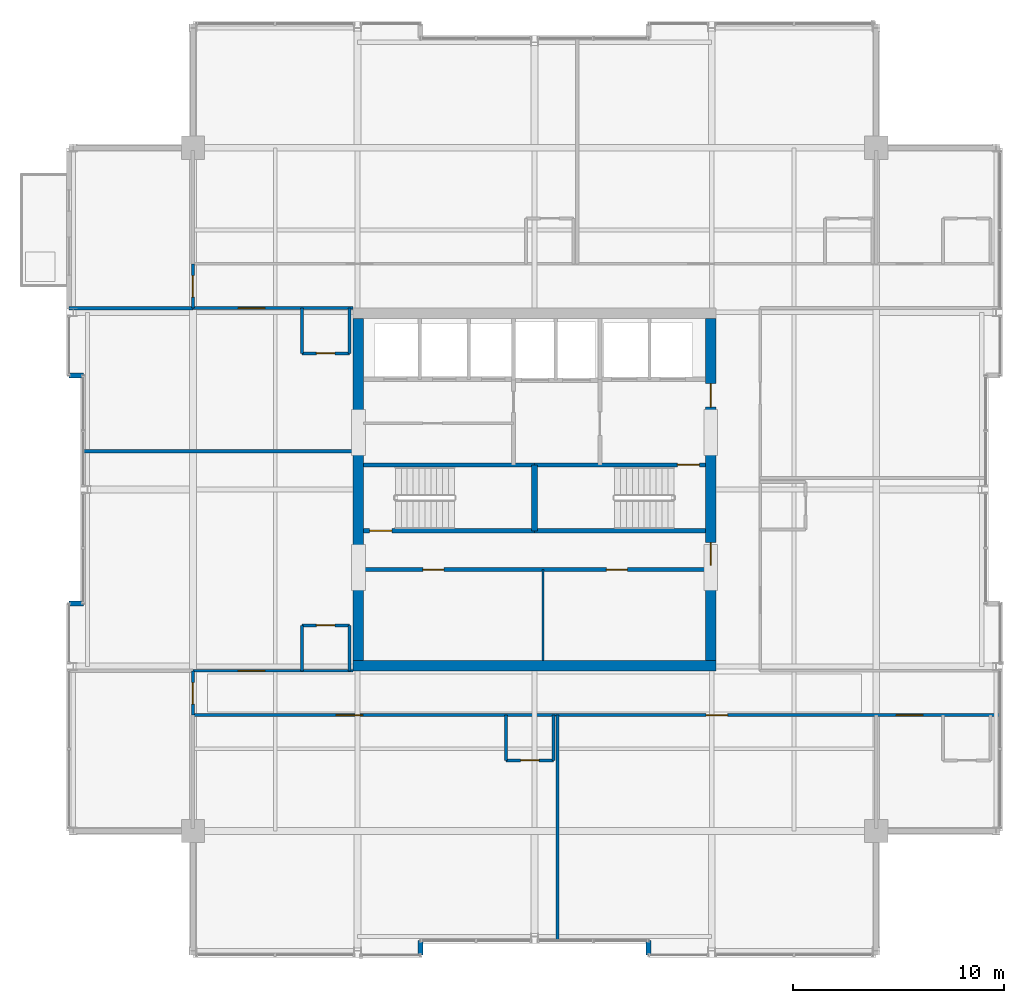
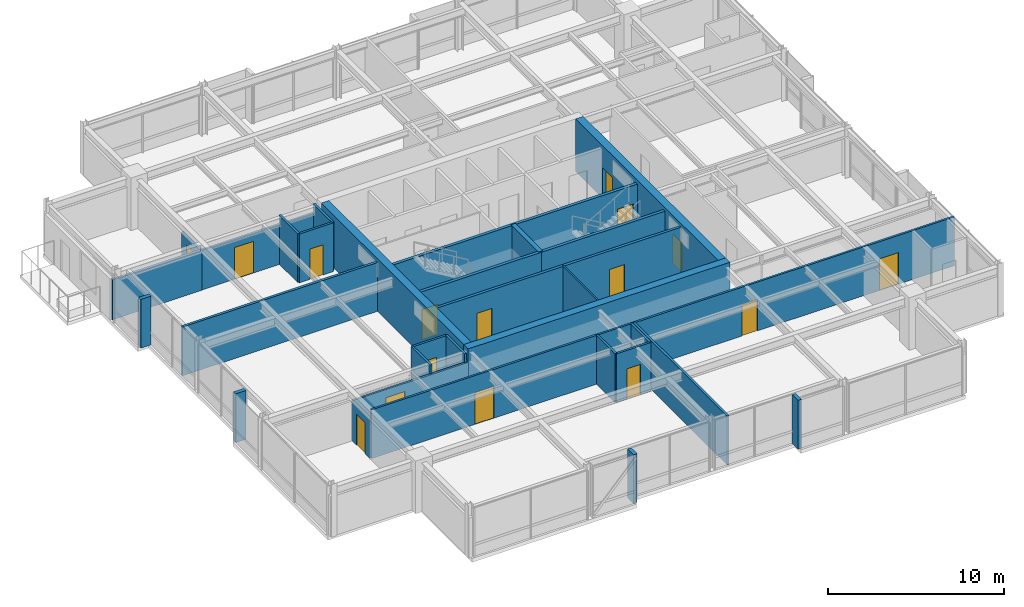
# One storey, part 28 of 33: 31 walls, 16 doors, 16 openings.
"""IFC4 building model written with IfcOpenShell, lengths in metres."""

from ifc_helpers import new_model, si_unit, direction, frame, frame_2d, origin, place, context, subcontext, project, spatial, rectangle, extrude, material, layer, layer_set, type_object, element, fill, save


model = new_model("IFC4")

# Units and contexts
model_context = context("Model", 3, precision=1e-05, world=origin(), true_north=direction((0.0, 1.0)))
body_context = subcontext(model_context, "Body", "Model", "MODEL_VIEW")
ifc_project = project(units=[si_unit("LENGTHUNIT", "METRE"), si_unit("AREAUNIT", "SQUARE_METRE"), si_unit("VOLUMEUNIT", "CUBIC_METRE"), si_unit("PLANEANGLEUNIT", "RADIAN"), si_unit("MASSUNIT", "GRAM", prefix="KILO")], contexts=[model_context])

# Site, building, storey
site_placement = place(None, origin())
site = spatial("IfcSite", under=ifc_project, at=site_placement, CompositionType="ELEMENT")
building_placement = place(site_placement, origin())
building = spatial("IfcBuilding", under=site, at=building_placement, Name="Drelvath Grand Hotel", CompositionType="ELEMENT")
storey_placement = place(building_placement, frame((0.0, 0.0, 283.25)))
storey = spatial("IfcBuildingStorey", under=building, at=storey_placement, Name="L74", CompositionType="ELEMENT", Elevation=283.25)

# Wall
ifc_material_1 = material(Name="Gypsum Partition Board")
ifc_layer_1 = layer(ifc_material_1, 0.10009765625)
ifc_layer_set_1 = layer_set([ifc_layer_1], Name="Gypsum Partition Board")
wall_type_1 = type_object("IfcWallType", Name="Core Closet Partition 100", PredefinedType="PARTITIONING", material=ifc_layer_set_1)
wall_1_placement = place(storey_placement, frame((0.39990234375, 18.89990234375, 0.0), z_axis=(0.0, 0.0, 1.0), x_axis=(0.0, 1.0, 0.0)))
element("IfcWall", 1, at=wall_1_placement, inside=storey, type_object=wall_type_1, Name="L74 Upper Core Split 0", PredefinedType="PARTITIONING", context=body_context, shape_type="SweptSolid", body=[
    extrude(rectangle(XDim=4.300048828125, YDim=0.10009765625, at=frame_2d((2.14990234375, 0.0))), origin(), (0.0, 0.0, 1.0), 3.389892578125),
])

# Wall, opening, door
ifc_material_2 = material(Name="Concrete C40/50", Category="concrete")
ifc_layer_2 = layer(ifc_material_2, 0.199951171875)
ifc_layer_set_2 = layer_set([ifc_layer_2], Name="Concrete C40/50")
wall_type_2 = type_object("IfcWallType", Name="Core Shaft Fire Wall 200", PredefinedType="SOLIDWALL", material=ifc_layer_set_2)
wall_2_placement = place(storey_placement, frame((-8.10009765625, 25.0400390625, 0.0), z_axis=(0.0, 0.0, 1.0), x_axis=(1.0, 0.0, 0.0)))
wall_2 = element("IfcWall", 2, at=wall_2_placement, inside=storey, type_object=wall_type_2, Name="L74 Stair ST-1 South Wall", PredefinedType="SOLIDWALL", context=body_context, shape_type="SweptSolid", body=[
    extrude(rectangle(XDim=8.10009765625, YDim=0.199951171875, at=frame_2d((4.050048828125, 0.0))), origin(), (0.0, 0.0, 1.0), 3.389892578125),
])
opening_1_placement = place(wall_2_placement, frame((0.280029296875, 0.0, 0.0)))
opening_1 = element("IfcOpeningElement", 3, at=opening_1_placement, cuts=wall_2, Name="Opening D-T5G2-001", PredefinedType="OPENING", context=body_context, shape_type="SweptSolid", body=[
    extrude(rectangle(XDim=1.050048828125, YDim=2.10009765625, at=frame_2d((0.52490234375, 1.050048828125))), frame((0.0, 0.10986328125, 0.0), z_axis=(0.0, -1.0, 0.0), x_axis=(1.0, 0.0, 0.0)), (0.0, 0.0, 1.0), 0.219970703125),
])
ifc_material_3 = material(Name="Painted Steel S275", Category="steel")
door_type_1 = type_object("IfcDoorType", Name="Tower Stairwell Fire Door 1050x2100", OperationType="NOTDEFINED", PredefinedType="DOOR", material=ifc_material_3)
door_1_placement = place(opening_1_placement, origin())
door_1 = element("IfcDoor", 4, at=door_1_placement, inside=storey, type_object=door_type_1, Name="L74 Exit Stair ST-1 Door", OperationType="SINGLE_SWING_LEFT", OverallHeight=2.10009765625, OverallWidth=1.050048828125, PredefinedType="DOOR", context=body_context, shape_type="SweptSolid", body=[
    extrude(rectangle(XDim=1.050048828125, YDim=2.10009765625, at=frame_2d((0.52490234375, 1.050048828125))), frame((0.0, 0.02490234375, 0.0), z_axis=(0.0, -1.0, 0.0), x_axis=(1.0, 0.0, 0.0)), (0.0, 0.0, 1.0), 0.050048828125),
])
fill(opening_1, door_1)

# Walls
for number, where, z_axis, x_axis, name in (
    (5, (-8.10009765625, 28.159912109375, 0.0), (0.0, 0.0, 1.0), (1.0, 0.0, 0.0), "L74 Stair ST-1 North Wall"),
    (6, (0.0, 25.0400390625, 0.0), (0.0, 0.0, 1.0), (1.0, 0.0, 0.0), "L74 Stair ST-2 South Wall"),
):
    element("IfcWall", number, at=place(storey_placement, frame(where, z_axis=z_axis, x_axis=x_axis)), inside=storey, type_object=wall_type_2, Name=name, PredefinedType="SOLIDWALL", context=body_context, shape_type="SweptSolid", body=[
        extrude(rectangle(XDim=8.10009765625, YDim=0.199951171875, at=frame_2d((4.050048828125, 0.0))), origin(), (0.0, 0.0, 1.0), 3.389892578125),
    ])

# Wall, opening, door
wall_3_placement = place(storey_placement, frame((8.10009765625, 28.159912109375, 0.0), z_axis=(0.0, 0.0, 1.0), x_axis=(-1.0, 0.0, 0.0)))
wall_3 = element("IfcWall", 7, at=wall_3_placement, inside=storey, type_object=wall_type_2, Name="L74 Stair ST-2 North Wall", PredefinedType="SOLIDWALL", context=body_context, shape_type="SweptSolid", body=[
    extrude(rectangle(XDim=8.10009765625, YDim=0.199951171875, at=frame_2d((4.050048828125, 0.0))), origin(), (0.0, 0.0, 1.0), 3.389892578125),
])
opening_2_placement = place(wall_3_placement, frame((0.280029296875, 0.0, 0.0)))
opening_2 = element("IfcOpeningElement", 8, at=opening_2_placement, cuts=wall_3, Name="Opening D-T5G2-002", PredefinedType="OPENING", context=body_context, shape_type="SweptSolid", body=[
    extrude(rectangle(XDim=1.050048828125, YDim=2.10009765625, at=frame_2d((0.52490234375, 1.050048828125))), frame((0.0, 0.10986328125, 0.0), z_axis=(0.0, -1.0, 0.0), x_axis=(1.0, 0.0, 0.0)), (0.0, 0.0, 1.0), 0.219970703125),
])
door_2_placement = place(opening_2_placement, origin())
door_2 = element("IfcDoor", 9, at=door_2_placement, inside=storey, type_object=door_type_1, Name="L74 Exit Stair ST-2 Door", OperationType="SINGLE_SWING_LEFT", OverallHeight=2.10009765625, OverallWidth=1.050048828125, PredefinedType="DOOR", context=body_context, shape_type="SweptSolid", body=[
    extrude(rectangle(XDim=1.050048828125, YDim=2.10009765625, at=frame_2d((0.52490234375, 1.050048828125))), frame((0.0, 0.02490234375, 0.0), z_axis=(0.0, -1.0, 0.0), x_axis=(1.0, 0.0, 0.0)), (0.0, 0.0, 1.0), 0.050048828125),
])
fill(opening_2, door_2)

# Wall
ifc_layer_3 = layer(ifc_material_2, 0.300048828125)
ifc_layer_set_3 = layer_set([ifc_layer_3], Name="Concrete C40/50")
wall_type_3 = type_object("IfcWallType", Name="Core Shaft Fire Wall 300", PredefinedType="SOLIDWALL", material=ifc_layer_set_3)
wall_4_placement = place(storey_placement, frame((0.0, 25.0400390625, 0.0), z_axis=(0.0, 0.0, 1.0), x_axis=(0.0, 1.0, 0.0)))
element("IfcWall", 10, at=wall_4_placement, inside=storey, type_object=wall_type_3, Name="L74 Core Stair Divider Wall", PredefinedType="SOLIDWALL", context=body_context, shape_type="SweptSolid", body=[
    extrude(rectangle(XDim=3.119873046875, YDim=0.300048828125, at=frame_2d((1.56005859375, 0.0))), origin(), (0.0, 0.0, 1.0), 3.389892578125),
])

# Wall, openings, doors
ifc_material_4 = material(Name="Gypsum Fireboard Partition")
ifc_layer_4 = layer(ifc_material_4, 0.135009765625)
ifc_layer_set_4 = layer_set([ifc_layer_4], Name="Gypsum Fireboard Partition")
wall_type_4 = type_object("IfcWallType", Name="Corridor Fire Barrier Wall 135", PredefinedType="PARTITIONING", material=ifc_layer_set_4)
wall_5_placement = place(storey_placement, frame((-16.199951171875, 16.300048828125, 0.0), z_axis=(0.0, 0.0, 1.0), x_axis=(1.0, 0.0, 0.0)))
wall_5 = element("IfcWall", 11, at=wall_5_placement, inside=storey, type_object=wall_type_4, Name="L74 South Cross-Gallery Wall", PredefinedType="PARTITIONING", context=body_context, shape_type="SweptSolid", body=[
    extrude(rectangle(XDim=38.280029296875, YDim=0.135009765625, at=frame_2d((19.14013671875, 0.0))), origin(), (0.0, 0.0, 1.0), 3.389892578125),
])
opening_3_placement = place(wall_5_placement, frame((33.35498046875, 0.0, 0.0)))
opening_3 = element("IfcOpeningElement", 12, at=opening_3_placement, cuts=wall_5, Name="Opening D-T5G2-020", PredefinedType="OPENING", context=body_context, shape_type="SweptSolid", body=[
    extrude(rectangle(XDim=1.260009765625, YDim=2.199951171875, at=frame_2d((0.6298828125, 1.10009765625))), frame((0.0, 0.077392578125, 0.0), z_axis=(0.0, -1.0, 0.0), x_axis=(1.0, 0.0, 0.0)), (0.0, 0.0, 1.0), 0.155029296875),
])
opening_4_placement = place(wall_5_placement, frame((6.794921875, 0.0, 0.0)))
opening_4 = element("IfcOpeningElement", 13, at=opening_4_placement, cuts=wall_5, Name="Opening D-T5G2-024", PredefinedType="OPENING", context=body_context, shape_type="SweptSolid", body=[
    extrude(rectangle(XDim=1.260009765625, YDim=2.199951171875, at=frame_2d((0.6298828125, 1.10009765625))), frame((0.0, 0.077392578125, 0.0), z_axis=(0.0, -1.0, 0.0), x_axis=(1.0, 0.0, 0.0)), (0.0, 0.0, 1.0), 0.155029296875),
])
opening_5_placement = place(wall_5_placement, frame((24.330078125, 0.0, 0.0)))
opening_5 = element("IfcOpeningElement", 14, at=opening_5_placement, cuts=wall_5, Name="Opening D-T5G2-025", PredefinedType="OPENING", context=body_context, shape_type="SweptSolid", body=[
    extrude(rectangle(XDim=1.02001953125, YDim=2.14990234375, at=frame_2d((0.510009765625, 1.074951171875))), frame((0.0, 0.077392578125, 0.0), z_axis=(0.0, -1.0, 0.0), x_axis=(1.0, 0.0, 0.0)), (0.0, 0.0, 1.0), 0.155029296875),
])
ifc_material_5 = material(Name="Hardwood Walnut Timber", Category="wood")
door_type_2 = type_object("IfcDoorType", Name="Amenity Meeting Fire Door 1020x2150", OperationType="NOTDEFINED", PredefinedType="DOOR", material=ifc_material_5)
door_3_placement = place(opening_5_placement, origin())
door_3 = element("IfcDoor", 15, at=door_3_placement, inside=storey, type_object=door_type_2, Name="L74 Presidential Boardroom Entry Door", OperationType="SINGLE_SWING_RIGHT", OverallHeight=2.14990234375, OverallWidth=1.02001953125, PredefinedType="DOOR", context=body_context, shape_type="SweptSolid", body=[
    extrude(rectangle(XDim=1.02001953125, YDim=2.14990234375, at=frame_2d((0.510009765625, 1.074951171875))), frame((0.0, 0.02490234375, 0.0), z_axis=(0.0, -1.0, 0.0), x_axis=(1.0, 0.0, 0.0)), (0.0, 0.0, 1.0), 0.050048828125),
])
fill(opening_5, door_3)
door_type_3 = type_object("IfcDoorType", Name="Suite Entrance Fire Door 1260x2200", OperationType="NOTDEFINED", PredefinedType="DOOR", material=ifc_material_5)
door_4_placement = place(opening_3_placement, origin())
door_4 = element("IfcDoor", 16, at=door_4_placement, inside=storey, type_object=door_type_3, Name="L74 Royal Suite Entry Door", OperationType="SINGLE_SWING_LEFT", OverallHeight=2.199951171875, OverallWidth=1.260009765625, PredefinedType="DOOR", context=body_context, shape_type="SweptSolid", body=[
    extrude(rectangle(XDim=1.260009765625, YDim=2.199951171875, at=frame_2d((0.6298828125, 1.10009765625))), frame((0.0, 0.02490234375, 0.0), z_axis=(0.0, -1.0, 0.0), x_axis=(1.0, 0.0, 0.0)), (0.0, 0.0, 1.0), 0.050048828125),
])
fill(opening_3, door_4)
door_5_placement = place(opening_4_placement, origin())
door_5 = element("IfcDoor", 17, at=door_5_placement, inside=storey, type_object=door_type_3, Name="L74 Royal Suite Entry Door", OperationType="SINGLE_SWING_LEFT", OverallHeight=2.199951171875, OverallWidth=1.260009765625, PredefinedType="DOOR", context=body_context, shape_type="SweptSolid", body=[
    extrude(rectangle(XDim=1.260009765625, YDim=2.199951171875, at=frame_2d((0.6298828125, 1.10009765625))), frame((0.0, 0.02490234375, 0.0), z_axis=(0.0, -1.0, 0.0), x_axis=(1.0, 0.0, 0.0)), (0.0, 0.0, 1.0), 0.050048828125),
])
fill(opening_4, door_5)

# Wall, opening, door
wall_6_placement = place(storey_placement, frame((-16.199951171875, 18.39990234375, 0.0), z_axis=(0.0, 0.0, 1.0), x_axis=(1.0, 0.0, 0.0)))
wall_6 = element("IfcWall", 18, at=wall_6_placement, inside=storey, type_object=wall_type_4, Name="L74 South Gallery Inner West Wall", PredefinedType="PARTITIONING", context=body_context, shape_type="SweptSolid", body=[
    extrude(rectangle(XDim=7.599853515625, YDim=0.135009765625, at=frame_2d((3.7998046875, 0.0))), origin(), (0.0, 0.0, 1.0), 2.767333984375),
])
opening_6_placement = place(wall_6_placement, frame((2.155029296875, 0.0, 0.0)))
opening_6 = element("IfcOpeningElement", 19, at=opening_6_placement, cuts=wall_6, Name="Opening D-T5G2-034", PredefinedType="OPENING", context=body_context, shape_type="SweptSolid", body=[
    extrude(rectangle(XDim=1.260009765625, YDim=2.199951171875, at=frame_2d((0.6298828125, 1.10009765625))), frame((0.0, 0.077392578125, 0.0), z_axis=(0.0, -1.0, 0.0), x_axis=(1.0, 0.0, 0.0)), (0.0, 0.0, 1.0), 0.155029296875),
])
door_6_placement = place(opening_6_placement, origin())
door_6 = element("IfcDoor", 20, at=door_6_placement, inside=storey, type_object=door_type_3, Name="L74 Royal Suite Entry Door", OperationType="SINGLE_SWING_LEFT", OverallHeight=2.199951171875, OverallWidth=1.260009765625, PredefinedType="DOOR", context=body_context, shape_type="SweptSolid", body=[
    extrude(rectangle(XDim=1.260009765625, YDim=2.199951171875, at=frame_2d((0.6298828125, 1.10009765625))), frame((0.0, 0.02490234375, 0.0), z_axis=(0.0, -1.0, 0.0), x_axis=(1.0, 0.0, 0.0)), (0.0, 0.0, 1.0), 0.050048828125),
])
fill(opening_6, door_6)

wall_7_placement = place(storey_placement, frame((-16.199951171875, 35.60009765625, 0.0), z_axis=(0.0, 0.0, 1.0), x_axis=(1.0, 0.0, 0.0)))
wall_7 = element("IfcWall", 21, at=wall_7_placement, inside=storey, type_object=wall_type_4, Name="L74 North Gallery Inner West Wall", PredefinedType="PARTITIONING", context=body_context, shape_type="SweptSolid", body=[
    extrude(rectangle(XDim=7.599853515625, YDim=0.135009765625, at=frame_2d((3.7998046875, 0.0))), origin(), (0.0, 0.0, 1.0), 2.767333984375),
])
opening_7_placement = place(wall_7_placement, frame((2.155029296875, 0.0, 0.0)))
opening_7 = element("IfcOpeningElement", 22, at=opening_7_placement, cuts=wall_7, Name="Opening D-T5G2-036", PredefinedType="OPENING", context=body_context, shape_type="SweptSolid", body=[
    extrude(rectangle(XDim=1.260009765625, YDim=2.199951171875, at=frame_2d((0.6298828125, 1.10009765625))), frame((0.0, 0.077392578125, 0.0), z_axis=(0.0, -1.0, 0.0), x_axis=(1.0, 0.0, 0.0)), (0.0, 0.0, 1.0), 0.155029296875),
])
door_7_placement = place(opening_7_placement, origin())
door_7 = element("IfcDoor", 23, at=door_7_placement, inside=storey, type_object=door_type_3, Name="L74 Royal Suite Entry Door", OperationType="SINGLE_SWING_LEFT", OverallHeight=2.199951171875, OverallWidth=1.260009765625, PredefinedType="DOOR", context=body_context, shape_type="SweptSolid", body=[
    extrude(rectangle(XDim=1.260009765625, YDim=2.199951171875, at=frame_2d((0.6298828125, 1.10009765625))), frame((0.0, 0.02490234375, 0.0), z_axis=(0.0, -1.0, 0.0), x_axis=(1.0, 0.0, 0.0)), (0.0, 0.0, 1.0), 0.050048828125),
])
fill(opening_7, door_7)

wall_8_placement = place(storey_placement, frame((-16.199951171875, 16.300048828125, 0.0), z_axis=(0.0, 0.0, 1.0), x_axis=(0.0, 1.0, 0.0)))
wall_8 = element("IfcWall", 24, at=wall_8_placement, inside=storey, type_object=wall_type_4, Name="L74 South Gallery West End", PredefinedType="PARTITIONING", context=body_context, shape_type="SweptSolid", body=[
    extrude(rectangle(XDim=2.099853515625, YDim=0.135009765625, at=frame_2d((1.0498046875, 0.0))), origin(), (0.0, 0.0, 1.0), 2.763916015625),
])
opening_8_placement = place(wall_8_placement, frame((0.52001953125, 0.0, 0.0)))
opening_8 = element("IfcOpeningElement", 25, at=opening_8_placement, cuts=wall_8, Name="Opening D-T5G2-017", PredefinedType="OPENING", context=body_context, shape_type="SweptSolid", body=[
    extrude(rectangle(XDim=1.02001953125, YDim=2.14990234375, at=frame_2d((0.510009765625, 1.074951171875))), frame((0.0, 0.077392578125, 0.0), z_axis=(0.0, -1.0, 0.0), x_axis=(1.0, 0.0, 0.0)), (0.0, 0.0, 1.0), 0.155029296875),
])
door_8_placement = place(opening_8_placement, origin())
door_8 = element("IfcDoor", 26, at=door_8_placement, inside=storey, type_object=door_type_2, Name="L74 Corner Panorama Lounge Door", OperationType="SINGLE_SWING_RIGHT", OverallHeight=2.14990234375, OverallWidth=1.02001953125, PredefinedType="DOOR", context=body_context, shape_type="SweptSolid", body=[
    extrude(rectangle(XDim=1.02001953125, YDim=2.14990234375, at=frame_2d((0.510009765625, 1.074951171875))), frame((0.0, 0.02490234375, 0.0), z_axis=(0.0, -1.0, 0.0), x_axis=(1.0, 0.0, 0.0)), (0.0, 0.0, 1.0), 0.050048828125),
])
fill(opening_8, door_8)

wall_9_placement = place(storey_placement, frame((-16.199951171875, 35.60009765625, 0.0), z_axis=(0.0, 0.0, 1.0), x_axis=(0.0, 1.0, 0.0)))
wall_9 = element("IfcWall", 27, at=wall_9_placement, inside=storey, type_object=wall_type_4, Name="L74 North Gallery West End", PredefinedType="PARTITIONING", context=body_context, shape_type="SweptSolid", body=[
    extrude(rectangle(XDim=2.099853515625, YDim=0.135009765625, at=frame_2d((1.0498046875, 0.0))), origin(), (0.0, 0.0, 1.0), 2.763916015625),
])
opening_9_placement = place(wall_9_placement, frame((0.52001953125, 0.0, 0.0)))
opening_9 = element("IfcOpeningElement", 28, at=opening_9_placement, cuts=wall_9, Name="Opening D-T5G2-018", PredefinedType="OPENING", context=body_context, shape_type="SweptSolid", body=[
    extrude(rectangle(XDim=1.02001953125, YDim=2.14990234375, at=frame_2d((0.510009765625, 1.074951171875))), frame((0.0, 0.077392578125, 0.0), z_axis=(0.0, -1.0, 0.0), x_axis=(1.0, 0.0, 0.0)), (0.0, 0.0, 1.0), 0.155029296875),
])
door_9_placement = place(opening_9_placement, origin())
door_9 = element("IfcDoor", 29, at=door_9_placement, inside=storey, type_object=door_type_2, Name="L74 Corner Panorama Lounge Door", OperationType="SINGLE_SWING_LEFT", OverallHeight=2.14990234375, OverallWidth=1.02001953125, PredefinedType="DOOR", context=body_context, shape_type="SweptSolid", body=[
    extrude(rectangle(XDim=1.02001953125, YDim=2.14990234375, at=frame_2d((0.510009765625, 1.074951171875))), frame((0.0, 0.02490234375, 0.0), z_axis=(0.0, -1.0, 0.0), x_axis=(1.0, 0.0, 0.0)), (0.0, 0.0, 1.0), 0.050048828125),
])
fill(opening_9, door_9)

# Walls
ifc_material_6 = material(Name="Moisture-Resistant Gypsum Board")
ifc_layer_5 = layer(ifc_material_6, 0.139892578125)
ifc_layer_set_5 = layer_set([ifc_layer_5], Name="Moisture-Resistant Gypsum Board")
wall_type_5 = type_object("IfcWallType", Name="En-Suite Plumbing Wall 140", PredefinedType="PLUMBINGWALL", material=ifc_layer_set_5)
for number, where, z_axis, x_axis, name in (
    (30, (-1.35009765625, 16.300048828125, 0.0), (0.0, 0.0, 1.0), (0.0, -1.0, 0.0), "L74 En-Suite Left Wall"),
    (31, (0.89990234375, 16.300048828125, 0.0), (0.0, 0.0, 1.0), (0.0, -1.0, 0.0), "L74 En-Suite Right Wall"),
):
    element("IfcWall", number, at=place(storey_placement, frame(where, z_axis=z_axis, x_axis=x_axis)), inside=storey, type_object=wall_type_5, Name=name, PredefinedType="PLUMBINGWALL", context=body_context, shape_type="SweptSolid", body=[
        extrude(rectangle(XDim=2.150146484375, YDim=0.139892578125, at=frame_2d((1.0751953125, 0.0))), origin(), (0.0, 0.0, 1.0), 3.389892578125),
    ])

# Wall, opening, door
wall_10_placement = place(storey_placement, frame((-1.35009765625, 14.14990234375, 0.0), z_axis=(0.0, 0.0, 1.0), x_axis=(1.0, 0.0, 0.0)))
wall_10 = element("IfcWall", 32, at=wall_10_placement, inside=storey, type_object=wall_type_5, Name="L74 En-Suite Front Wall", PredefinedType="PLUMBINGWALL", context=body_context, shape_type="SweptSolid", body=[
    extrude(rectangle(XDim=2.25, YDim=0.139892578125, at=frame_2d((1.125, 0.0))), origin(), (0.0, 0.0, 1.0), 3.389892578125),
])
opening_10_placement = place(wall_10_placement, frame((0.68505859375, 0.0, 0.0)))
opening_10 = element("IfcOpeningElement", 33, at=opening_10_placement, cuts=wall_10, Name="Opening D-T5G2-023", PredefinedType="OPENING", context=body_context, shape_type="SweptSolid", body=[
    extrude(rectangle(XDim=0.8798828125, YDim=2.10009765625, at=frame_2d((0.43994140625, 1.050048828125))), frame((0.0, 0.079833984375, 0.0), z_axis=(0.0, -1.0, 0.0), x_axis=(1.0, 0.0, 0.0)), (0.0, 0.0, 1.0), 0.159912109375),
])
door_type_4 = type_object("IfcDoorType", Name="En-Suite Bathroom Door 880x2100", OperationType="NOTDEFINED", PredefinedType="DOOR", material=ifc_material_5)
door_10_placement = place(opening_10_placement, origin())
door_10 = element("IfcDoor", 34, at=door_10_placement, inside=storey, type_object=door_type_4, Name="L74 En-Suite Bathroom Door", OperationType="SINGLE_SWING_RIGHT", OverallHeight=2.10009765625, OverallWidth=0.8798828125, PredefinedType="DOOR", context=body_context, shape_type="SweptSolid", body=[
    extrude(rectangle(XDim=0.8798828125, YDim=2.10009765625, at=frame_2d((0.43994140625, 1.050048828125))), frame((0.0, 0.02490234375, 0.0), z_axis=(0.0, -1.0, 0.0), x_axis=(1.0, 0.0, 0.0)), (0.0, 0.0, 1.0), 0.050048828125),
])
fill(opening_10, door_10)

# Walls
for number, where, z_axis, x_axis, name in (
    (35, (-11.030029296875, 18.39990234375, 0.0), (0.0, 0.0, 1.0), (0.0, 1.0, 0.0), "L74 En-Suite Left Wall"),
    (36, (-8.780029296875, 18.39990234375, 0.0), (0.0, 0.0, 1.0), (0.0, 1.0, 0.0), "L74 En-Suite Right Wall"),
):
    element("IfcWall", number, at=place(storey_placement, frame(where, z_axis=z_axis, x_axis=x_axis)), inside=storey, type_object=wall_type_5, Name=name, PredefinedType="PLUMBINGWALL", context=body_context, shape_type="SweptSolid", body=[
        extrude(rectangle(XDim=2.150146484375, YDim=0.139892578125, at=frame_2d((1.0751953125, 0.0))), origin(), (0.0, 0.0, 1.0), 3.389892578125),
    ])

# Wall, opening, door
wall_11_placement = place(storey_placement, frame((-11.030029296875, 20.550048828125, 0.0), z_axis=(0.0, 0.0, 1.0), x_axis=(1.0, 0.0, 0.0)))
wall_11 = element("IfcWall", 37, at=wall_11_placement, inside=storey, type_object=wall_type_5, Name="L74 En-Suite Front Wall", PredefinedType="PLUMBINGWALL", context=body_context, shape_type="SweptSolid", body=[
    extrude(rectangle(XDim=2.25, YDim=0.139892578125, at=frame_2d((1.125, 0.0))), origin(), (0.0, 0.0, 1.0), 3.389892578125),
])
opening_11_placement = place(wall_11_placement, frame((0.68505859375, 0.0, 0.0)))
opening_11 = element("IfcOpeningElement", 38, at=opening_11_placement, cuts=wall_11, Name="Opening D-T5G2-033", PredefinedType="OPENING", context=body_context, shape_type="SweptSolid", body=[
    extrude(rectangle(XDim=0.8798828125, YDim=2.10009765625, at=frame_2d((0.43994140625, 1.050048828125))), frame((0.0, 0.079833984375, 0.0), z_axis=(0.0, -1.0, 0.0), x_axis=(1.0, 0.0, 0.0)), (0.0, 0.0, 1.0), 0.159912109375),
])
door_11_placement = place(opening_11_placement, origin())
door_11 = element("IfcDoor", 39, at=door_11_placement, inside=storey, type_object=door_type_4, Name="L74 En-Suite Bathroom Door", OperationType="SINGLE_SWING_RIGHT", OverallHeight=2.10009765625, OverallWidth=0.8798828125, PredefinedType="DOOR", context=body_context, shape_type="SweptSolid", body=[
    extrude(rectangle(XDim=0.8798828125, YDim=2.10009765625, at=frame_2d((0.43994140625, 1.050048828125))), frame((0.0, 0.02490234375, 0.0), z_axis=(0.0, -1.0, 0.0), x_axis=(1.0, 0.0, 0.0)), (0.0, 0.0, 1.0), 0.050048828125),
])
fill(opening_11, door_11)

# Walls
for number, where, z_axis, x_axis, name in (
    (40, (-11.030029296875, 35.60009765625, 0.0), (0.0, 0.0, 1.0), (0.0, -1.0, 0.0), "L74 En-Suite Left Wall"),
    (41, (-8.780029296875, 35.60009765625, 0.0), (0.0, 0.0, 1.0), (0.0, -1.0, 0.0), "L74 En-Suite Right Wall"),
):
    element("IfcWall", number, at=place(storey_placement, frame(where, z_axis=z_axis, x_axis=x_axis)), inside=storey, type_object=wall_type_5, Name=name, PredefinedType="PLUMBINGWALL", context=body_context, shape_type="SweptSolid", body=[
        extrude(rectangle(XDim=2.150146484375, YDim=0.139892578125, at=frame_2d((1.0751953125, 0.0))), origin(), (0.0, 0.0, 1.0), 3.389892578125),
    ])

# Wall, opening, door
wall_12_placement = place(storey_placement, frame((-11.030029296875, 33.449951171875, 0.0), z_axis=(0.0, 0.0, 1.0), x_axis=(1.0, 0.0, 0.0)))
wall_12 = element("IfcWall", 42, at=wall_12_placement, inside=storey, type_object=wall_type_5, Name="L74 En-Suite Front Wall", PredefinedType="PLUMBINGWALL", context=body_context, shape_type="SweptSolid", body=[
    extrude(rectangle(XDim=2.25, YDim=0.139892578125, at=frame_2d((1.125, 0.0))), origin(), (0.0, 0.0, 1.0), 3.389892578125),
])
opening_12_placement = place(wall_12_placement, frame((0.68505859375, 0.0, 0.0)))
opening_12 = element("IfcOpeningElement", 43, at=opening_12_placement, cuts=wall_12, Name="Opening D-T5G2-035", PredefinedType="OPENING", context=body_context, shape_type="SweptSolid", body=[
    extrude(rectangle(XDim=0.8798828125, YDim=2.10009765625, at=frame_2d((0.43994140625, 1.050048828125))), frame((0.0, 0.079833984375, 0.0), z_axis=(0.0, -1.0, 0.0), x_axis=(1.0, 0.0, 0.0)), (0.0, 0.0, 1.0), 0.159912109375),
])
door_12_placement = place(opening_12_placement, origin())
door_12 = element("IfcDoor", 44, at=door_12_placement, inside=storey, type_object=door_type_4, Name="L74 En-Suite Bathroom Door", OperationType="SINGLE_SWING_RIGHT", OverallHeight=2.10009765625, OverallWidth=0.8798828125, PredefinedType="DOOR", context=body_context, shape_type="SweptSolid", body=[
    extrude(rectangle(XDim=0.8798828125, YDim=2.10009765625, at=frame_2d((0.43994140625, 1.050048828125))), frame((0.0, 0.02490234375, 0.0), z_axis=(0.0, -1.0, 0.0), x_axis=(1.0, 0.0, 0.0)), (0.0, 0.0, 1.0), 0.050048828125),
])
fill(opening_12, door_12)

# Wall, openings, doors
ifc_layer_6 = layer(ifc_material_4, 0.179931640625)
ifc_layer_set_6 = layer_set([ifc_layer_6], Name="Gypsum Fireboard Partition")
wall_type_6 = type_object("IfcWallType", Name="FSAE Smoke Lobby Fire Wall 180", PredefinedType="SOLIDWALL", material=ifc_layer_set_6)
wall_13_placement = place(storey_placement, frame((-8.10009765625, 23.199951171875, 0.0), z_axis=(0.0, 0.0, 1.0), x_axis=(1.0, 0.0, 0.0)))
wall_13 = element("IfcWall", 45, at=wall_13_placement, inside=storey, type_object=wall_type_6, Name="L74 Upper Reclaimed Core Wall", PredefinedType="SOLIDWALL", context=body_context, shape_type="SweptSolid", body=[
    extrude(rectangle(XDim=16.2001953125, YDim=0.179931640625, at=frame_2d((8.10009765625, 0.0))), origin(), (0.0, 0.0, 1.0), 3.389892578125),
])
opening_13_placement = place(wall_13_placement, frame((2.800048828125, 0.0, 0.0)))
opening_13 = element("IfcOpeningElement", 46, at=opening_13_placement, cuts=wall_13, Name="Opening D-T5G2-015", PredefinedType="OPENING", context=body_context, shape_type="SweptSolid", body=[
    extrude(rectangle(XDim=1.0, YDim=2.10009765625, at=frame_2d((0.5, 1.050048828125))), frame((0.0, 0.099853515625, 0.0), z_axis=(0.0, -1.0, 0.0), x_axis=(1.0, 0.0, 0.0)), (0.0, 0.0, 1.0), 0.199951171875),
])
opening_14_placement = place(wall_13_placement, frame((11.5, 0.0, 0.0)))
opening_14 = element("IfcOpeningElement", 47, at=opening_14_placement, cuts=wall_13, Name="Opening D-T5G2-016", PredefinedType="OPENING", context=body_context, shape_type="SweptSolid", body=[
    extrude(rectangle(XDim=1.0, YDim=2.10009765625, at=frame_2d((0.5, 1.050048828125))), frame((0.0, 0.099853515625, 0.0), z_axis=(0.0, -1.0, 0.0), x_axis=(1.0, 0.0, 0.0)), (0.0, 0.0, 1.0), 0.199951171875),
])
door_type_5 = type_object("IfcDoorType", Name="Core Service Fire Door 1000x2100", OperationType="NOTDEFINED", PredefinedType="DOOR", material=ifc_material_3)
door_13_placement = place(opening_13_placement, origin())
door_13 = element("IfcDoor", 48, at=door_13_placement, inside=storey, type_object=door_type_5, Name="L74 Housekeeping Door", OperationType="SINGLE_SWING_RIGHT", OverallHeight=2.10009765625, OverallWidth=1.0, PredefinedType="DOOR", context=body_context, shape_type="SweptSolid", body=[
    extrude(rectangle(XDim=1.0, YDim=2.10009765625, at=frame_2d((0.5, 1.050048828125))), frame((0.0, 0.02490234375, 0.0), z_axis=(0.0, -1.0, 0.0), x_axis=(1.0, 0.0, 0.0)), (0.0, 0.0, 1.0), 0.050048828125),
])
fill(opening_13, door_13)
door_14_placement = place(opening_14_placement, origin())
door_14 = element("IfcDoor", 49, at=door_14_placement, inside=storey, type_object=door_type_5, Name="L74 Butler Pantry Door", OperationType="SINGLE_SWING_LEFT", OverallHeight=2.10009765625, OverallWidth=1.0, PredefinedType="DOOR", context=body_context, shape_type="SweptSolid", body=[
    extrude(rectangle(XDim=1.0, YDim=2.10009765625, at=frame_2d((0.5, 1.050048828125))), frame((0.0, 0.02490234375, 0.0), z_axis=(0.0, -1.0, 0.0), x_axis=(1.0, 0.0, 0.0)), (0.0, 0.0, 1.0), 0.050048828125),
])
fill(opening_14, door_14)

# Walls
ifc_material_7 = material(Name="Gypsum Acoustic Partition")
ifc_layer_7 = layer(ifc_material_7, 0.14990234375)
ifc_layer_set_7 = layer_set([ifc_layer_7], Name="Gypsum Acoustic Partition")
wall_type_7 = type_object("IfcWallType", Name="Guestroom Demising Wall 150", PredefinedType="PARTITIONING", material=ifc_layer_set_7)
wall_14_placement = place(storey_placement, frame((1.080078125, 5.60009765625, 0.0), z_axis=(0.0, 0.0, 1.0), x_axis=(0.0, 1.0, 0.0)))
element("IfcWall", 50, at=wall_14_placement, inside=storey, type_object=wall_type_7, Name="L74 South Demising 1", PredefinedType="PARTITIONING", context=body_context, shape_type="SweptSolid", body=[
    extrude(rectangle(XDim=10.699951171875, YDim=0.14990234375, at=frame_2d((5.35009765625, 0.0))), origin(), (0.0, 0.0, 1.0), 3.389892578125),
])
ifc_layer_8 = layer(ifc_material_7, 0.1650390625)
ifc_layer_set_8 = layer_set([ifc_layer_8], Name="Gypsum Acoustic Partition")
wall_type_8 = type_object("IfcWallType", Name="Suite Demising Wall 165", PredefinedType="PARTITIONING", material=ifc_layer_set_8)
wall_15_placement = place(storey_placement, frame((-22.080078125, 35.60009765625, 0.0), z_axis=(0.0, 0.0, 1.0), x_axis=(1.0, 0.0, 0.0)))
element("IfcWall", 51, at=wall_15_placement, inside=storey, type_object=wall_type_8, Name="L74 NW Corner South Wall", PredefinedType="PARTITIONING", context=body_context, shape_type="SweptSolid", body=[
    extrude(rectangle(XDim=5.880126953125, YDim=0.1650390625, at=frame_2d((2.93994140625, 0.0))), origin(), (0.0, 0.0, 1.0), 2.763916015625),
])
wall_16_placement = place(storey_placement, frame((-21.39990234375, 28.800048828125, 0.0), z_axis=(0.0, 0.0, 1.0), x_axis=(1.0, 0.0, 0.0)))
element("IfcWall", 52, at=wall_16_placement, inside=storey, type_object=wall_type_8, Name="L74 West Grand Suite Split Wall", PredefinedType="PARTITIONING", context=body_context, shape_type="SweptSolid", body=[
    extrude(rectangle(XDim=12.7998046875, YDim=0.1650390625, at=frame_2d((6.39990234375, 0.0))), origin(), (0.0, 0.0, 1.0), 3.389892578125),
])
ifc_material_8 = material(Name="Pale-Metal Insulated Aluminium Spandrel Assembly", Category="aluminium")
ifc_layer_9 = layer(ifc_material_8, 0.239990234375)
ifc_layer_set_9 = layer_set([ifc_layer_9], Name="Pale-Metal Insulated Aluminium Spandrel Assembly")
wall_type_9 = type_object("IfcWallType", Name="Tower Insulated Metal Spandrel Closure Wall 240", PredefinedType="STANDARD", material=ifc_layer_set_9)
for number, where, z_axis, x_axis, name in (
    (53, (-22.080078125, 21.60009765625, 0.0), (0.0, 0.0, 1.0), (1.0, 0.0, 0.0), "L74 Notched Corner Return Spandrel Wall RW1"),
    (54, (-21.39990234375, 32.39990234375, 0.0), (0.0, 0.0, 1.0), (-1.0, 0.0, 0.0), "L74 Notched Corner Return Spandrel Wall RW2"),
    (55, (5.39990234375, 4.919921875, 0.0), (0.0, 0.0, 1.0), (0.0, 1.0, 0.0), "L74 Notched Corner Return Spandrel Wall RS1"),
    (56, (-5.39990234375, 5.60009765625, 0.0), (0.0, 0.0, 1.0), (0.0, -1.0, 0.0), "L74 Notched Corner Return Spandrel Wall RS2"),
):
    element("IfcWall", number, at=place(storey_placement, frame(where, z_axis=z_axis, x_axis=x_axis)), inside=storey, type_object=wall_type_9, Name=name, PredefinedType="STANDARD", context=body_context, shape_type="SweptSolid", body=[
        extrude(rectangle(XDim=0.68017578125, YDim=0.239990234375, at=frame_2d((0.340087890625, 0.0))), origin(), (0.0, 0.0, 1.0), 3.389892578125),
    ])

# Wall, openings, doors
ifc_material_9 = material(Name="Concrete f'c 55 MPa", Category="concrete")
ifc_layer_10 = layer(ifc_material_9, 0.5)
ifc_layer_set_10 = layer_set([ifc_layer_10], Name="Concrete f'c 55 MPa")
wall_type_10 = type_object("IfcWallType", Name="Upper Core RC Shear Wall 500", PredefinedType="SHEAR", material=ifc_layer_set_10)
wall_17_placement = place(storey_placement, frame((8.35009765625, 35.10009765625, 0.0), z_axis=(0.0, 0.0, 1.0), x_axis=(0.0, -1.0, 0.0)))
wall_17 = element("IfcWall", 57, at=wall_17_placement, inside=storey, type_object=wall_type_10, Name="L74 Central Core Shear Wall E", PredefinedType="SHEAR", context=body_context, shape_type="SweptSolid", body=[
    extrude(rectangle(XDim=16.2001953125, YDim=0.5, at=frame_2d((8.10009765625, 0.0))), origin(), (0.0, 0.0, 1.0), 3.64990234375),
])
opening_15_placement = place(wall_17_placement, frame((3.080078125, 0.0, 0.0)))
opening_15 = element("IfcOpeningElement", 58, at=opening_15_placement, cuts=wall_17, Name="Opening D-T5G2-006", PredefinedType="OPENING", context=body_context, shape_type="SweptSolid", body=[
    extrude(rectangle(XDim=1.1201171875, YDim=2.10009765625, at=frame_2d((0.56005859375, 1.050048828125))), frame((0.0, 0.260009765625, 0.0), z_axis=(0.0, -1.0, 0.0), x_axis=(1.0, 0.0, 0.0)), (0.0, 0.0, 1.0), 0.52001953125),
])
opening_16_placement = place(wall_17_placement, frame((10.6201171875, 0.0, 0.0)))
opening_16 = element("IfcOpeningElement", 59, at=opening_16_placement, cuts=wall_17, Name="Opening D-T5G2-014", PredefinedType="OPENING", context=body_context, shape_type="SweptSolid", body=[
    extrude(rectangle(XDim=1.080078125, YDim=2.0400390625, at=frame_2d((0.5400390625, 1.02001953125))), frame((0.0, 0.260009765625, 0.0), z_axis=(0.0, -1.0, 0.0), x_axis=(1.0, 0.0, 0.0)), (0.0, 0.0, 1.0), 0.52001953125),
])
door_type_6 = type_object("IfcDoorType", Name="Core Corridor Fire Door 1080x2100", OperationType="NOTDEFINED", PredefinedType="DOOR", material=ifc_material_3)
door_15_placement = place(opening_16_placement, origin())
door_15 = element("IfcDoor", 60, at=door_15_placement, inside=storey, type_object=door_type_6, Name="L74 Core Passage East Door", OperationType="SINGLE_SWING_LEFT", OverallHeight=2.0400390625, OverallWidth=1.080078125, PredefinedType="DOOR", context=body_context, shape_type="SweptSolid", body=[
    extrude(rectangle(XDim=1.080078125, YDim=2.0400390625, at=frame_2d((0.5400390625, 1.02001953125))), frame((0.0, 0.02490234375, 0.0), z_axis=(0.0, -1.0, 0.0), x_axis=(1.0, 0.0, 0.0)), (0.0, 0.0, 1.0), 0.050048828125),
])
fill(opening_16, door_15)
door_type_7 = type_object("IfcDoorType", Name="FSAE Smoke Lobby Fire Door 1120x2100", OperationType="NOTDEFINED", PredefinedType="DOOR", material=ifc_material_3)
door_16_placement = place(opening_15_placement, origin())
door_16 = element("IfcDoor", 61, at=door_16_placement, inside=storey, type_object=door_type_7, Name="L74 FSAE Lobby East Corridor Door", OperationType="SINGLE_SWING_LEFT", OverallHeight=2.10009765625, OverallWidth=1.1201171875, PredefinedType="DOOR", context=body_context, shape_type="SweptSolid", body=[
    extrude(rectangle(XDim=1.1201171875, YDim=2.10009765625, at=frame_2d((0.56005859375, 1.050048828125))), frame((0.0, 0.02490234375, 0.0), z_axis=(0.0, -1.0, 0.0), x_axis=(1.0, 0.0, 0.0)), (0.0, 0.0, 1.0), 0.050048828125),
])
fill(opening_15, door_16)

# Walls
wall_18_placement = place(storey_placement, frame((8.60009765625, 18.64990234375, 0.0), z_axis=(0.0, 0.0, 1.0), x_axis=(-1.0, 0.0, 0.0)))
element("IfcWall", 62, at=wall_18_placement, inside=storey, type_object=wall_type_10, Name="L74 Central Core Shear Wall S", PredefinedType="SHEAR", context=body_context, shape_type="SweptSolid", body=[
    extrude(rectangle(XDim=17.2001953125, YDim=0.5, at=frame_2d((8.60009765625, 0.0))), origin(), (0.0, 0.0, 1.0), 3.64990234375),
])
wall_19_placement = place(storey_placement, frame((-8.35009765625, 18.89990234375, 0.0), z_axis=(0.0, 0.0, 1.0), x_axis=(0.0, 1.0, 0.0)))
element("IfcWall", 63, at=wall_19_placement, inside=storey, type_object=wall_type_10, Name="L74 Central Core Shear Wall W", PredefinedType="SHEAR", context=body_context, shape_type="SweptSolid", body=[
    extrude(rectangle(XDim=16.2001953125, YDim=0.5, at=frame_2d((8.10009765625, 0.0))), origin(), (0.0, 0.0, 1.0), 3.64990234375),
])

save(model, "model.ifc")
